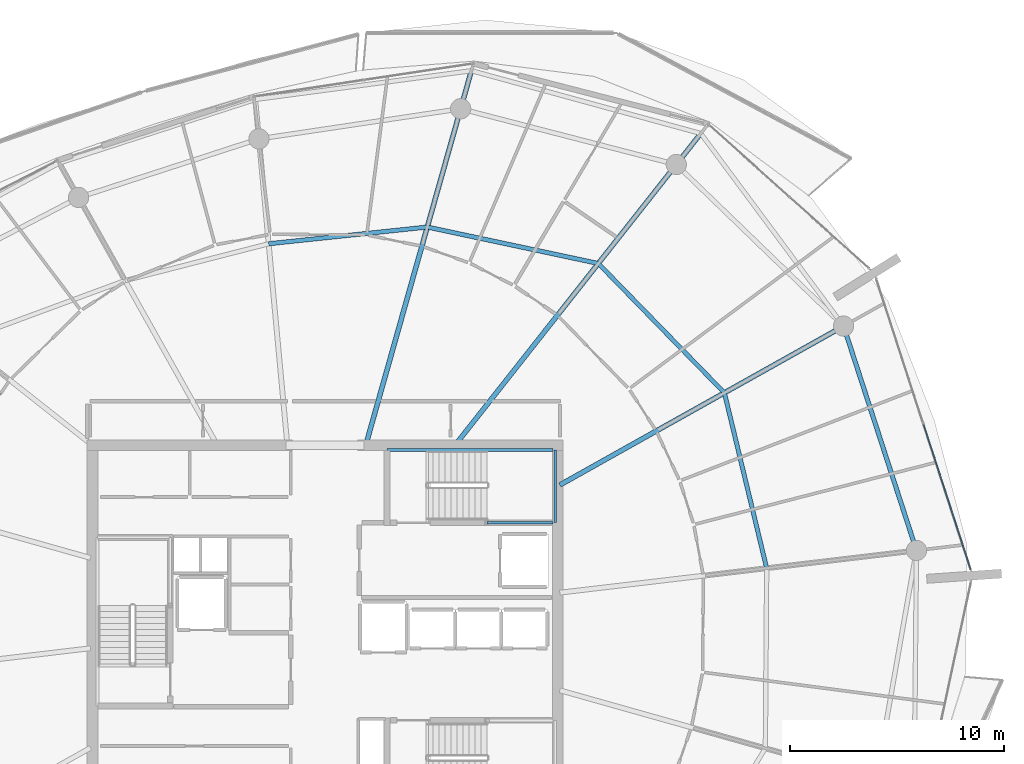
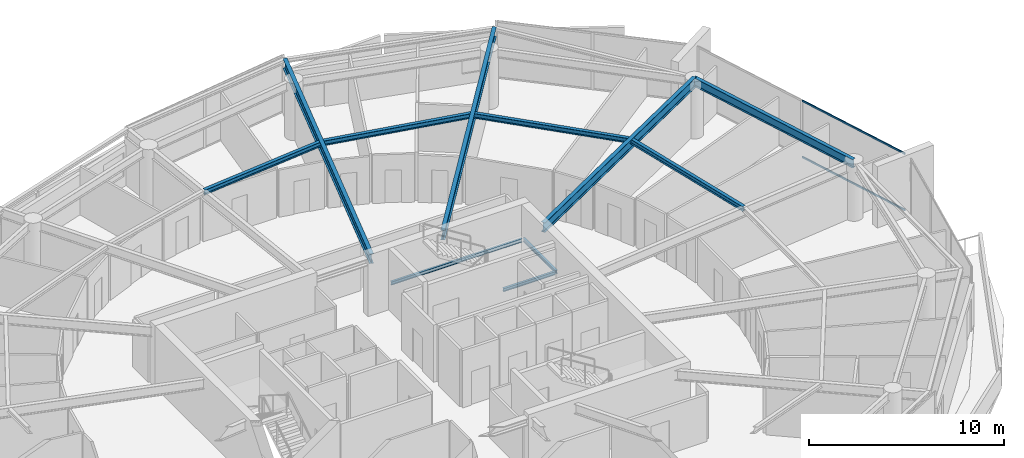
# One storey, part 14 of 30: 11 beams, 2 members, 1 element without a shape of its own.
"""IFC4 building model written with IfcOpenShell, lengths in metres."""

from ifc_helpers import new_model, si_unit, direction, frame, origin, origin_2d, place, context, subcontext, project, spatial, rectangle, i_section, extrude, material, layer, layer_set, material_profile, profile_set, type_object, element, aggregate, save


model = new_model("IFC4")

# Units and contexts
model_context = context("Model", 3, precision=1e-05, world=origin(), true_north=direction((0.0, 1.0)))
body_context = subcontext(model_context, "Body", "Model", "MODEL_VIEW")
ifc_project = project(units=[si_unit("LENGTHUNIT", "METRE"), si_unit("AREAUNIT", "SQUARE_METRE"), si_unit("VOLUMEUNIT", "CUBIC_METRE"), si_unit("PLANEANGLEUNIT", "RADIAN"), si_unit("MASSUNIT", "GRAM", prefix="KILO")], contexts=[model_context])

# Site, building, storey
site_placement = place(None, origin())
site = spatial("IfcSite", under=ifc_project, at=site_placement, CompositionType="ELEMENT")
building_placement = place(site_placement, origin())
building = spatial("IfcBuilding", under=site, at=building_placement, Name="Kazma Halo Residences", CompositionType="ELEMENT")
storey_placement = place(building_placement, frame((0.0, 0.0, 294.449951171875)))
storey = spatial("IfcBuildingStorey", under=building, at=storey_placement, Name="L74", CompositionType="ELEMENT", Elevation=294.449951171875)

# Beams
ifc_material_1 = material(Name="Steel S355", Category="steel")
ifc_material_profile_1 = material_profile(ifc_material_1, i_section(OverallWidth=0.22802734375, OverallDepth=0.60791015625, WebThickness=0.01123046875, FlangeThickness=0.017333984375, FilletRadius=0.01806640625, at=origin_2d()), Name="W610x113")
ifc_profile_set_1 = profile_set([ifc_material_profile_1], Name="Steel S355")
beam_type_1 = type_object("IfcBeamType", Name="BM-RAD-W610", PredefinedType="BEAM", material=ifc_profile_set_1)
beam_1_placement = place(storey_placement, frame((59.39990234375, 48.38427734375, 3.2861328125), z_axis=(0.872501636424, 0.488611189432, 0.0), x_axis=(-0.488611189432, 0.872501636424, 0.0)))
element("IfcBeam", 1, at=beam_1_placement, inside=storey, type_object=beam_type_1, Name="L74 radial floor beam 01", PredefinedType="BEAM", context=body_context, shape_type="SweptSolid", body=[
    extrude(i_section(OverallWidth=0.22802734375, OverallDepth=0.60791015625, WebThickness=0.01123046875, FlangeThickness=0.017333984375, FilletRadius=0.01806640625, at=origin_2d()), origin(), (0.0, 0.0, 1.0), 15.209716796875),
])
beam_2_placement = place(storey_placement, frame((54.58251953125, 50.35009765625, 3.2861328125), z_axis=(0.619094367176, 0.785316601461, 0.0), x_axis=(-0.785316601461, 0.619094367176, 0.0)))
element("IfcBeam", 2, at=beam_2_placement, inside=storey, type_object=beam_type_1, Name="L74 radial floor beam 02", PredefinedType="BEAM", context=body_context, shape_type="SweptSolid", body=[
    extrude(i_section(OverallWidth=0.22802734375, OverallDepth=0.60791015625, WebThickness=0.01123046875, FlangeThickness=0.017333984375, FilletRadius=0.01806640625, at=origin_2d()), origin(), (0.0, 0.0, 1.0), 18.429931640625),
])
beam_3_placement = place(storey_placement, frame((50.35498046875, 50.35009765625, 3.2861328125), z_axis=(0.271443175073, 0.962454467861, 0.0), x_axis=(-0.962454467861, 0.271443175073, 0.0)))
element("IfcBeam", 3, at=beam_3_placement, inside=storey, type_object=beam_type_1, Name="L74 radial floor beam 03", PredefinedType="BEAM", context=body_context, shape_type="SweptSolid", body=[
    extrude(i_section(OverallWidth=0.22802734375, OverallDepth=0.60791015625, WebThickness=0.01123046875, FlangeThickness=0.017333984375, FilletRadius=0.01806640625, at=origin_2d()), origin(), (0.0, 0.0, 1.0), 18.089111328125),
])
ifc_material_profile_2 = material_profile(ifc_material_1, i_section(OverallWidth=0.202880859375, OverallDepth=0.302978515625, WebThickness=0.007568359375, FlangeThickness=0.01318359375, FilletRadius=0.013916015625, at=origin_2d()), Name="W310x60")
ifc_profile_set_2 = profile_set([ifc_material_profile_2], Name="Steel S355")
beam_type_2 = type_object("IfcBeamType", Name="BM-SEC-W310A", PredefinedType="JOIST", material=ifc_profile_set_2)
beam_4_placement = place(storey_placement, frame((67.0966796875, 52.694580078125, 3.4384765625), z_axis=(-0.697959749995, 0.716136989261, 0.0), x_axis=(-0.716136989261, -0.697959749995, 0.0)))
element("IfcBeam", 4, at=beam_4_placement, inside=storey, type_object=beam_type_2, Name="L74 circumferential floor joist 01", PredefinedType="JOIST", context=body_context, shape_type="SweptSolid", body=[
    extrude(i_section(OverallWidth=0.202880859375, OverallDepth=0.302978515625, WebThickness=0.007568359375, FlangeThickness=0.01318359375, FilletRadius=0.013916015625, at=origin_2d()), origin(), (0.0, 0.0, 1.0), 8.4482421875),
])
beam_5_placement = place(storey_placement, frame((61.2001953125, 58.74462890625, 3.4384765625), z_axis=(-0.97806685939, 0.208291186956, 0.0), x_axis=(-0.208291186956, -0.97806685939, 0.0)))
element("IfcBeam", 5, at=beam_5_placement, inside=storey, type_object=beam_type_2, Name="L74 circumferential floor joist 02", PredefinedType="JOIST", context=body_context, shape_type="SweptSolid", body=[
    extrude(i_section(OverallWidth=0.202880859375, OverallDepth=0.302978515625, WebThickness=0.007568359375, FlangeThickness=0.01318359375, FilletRadius=0.013916015625, at=origin_2d()), origin(), (0.0, 0.0, 1.0), 8.1767578125),
])
beam_6_placement = place(storey_placement, frame((53.202880859375, 60.44775390625, 3.4384765625), z_axis=(-0.994500789339, -0.104729079076, 0.0), x_axis=(0.104729079076, -0.994500789339, 0.0)))
element("IfcBeam", 6, at=beam_6_placement, inside=storey, type_object=beam_type_2, Name="L74 circumferential floor joist 03", PredefinedType="JOIST", context=body_context, shape_type="SweptSolid", body=[
    extrude(i_section(OverallWidth=0.202880859375, OverallDepth=0.302978515625, WebThickness=0.007568359375, FlangeThickness=0.01318359375, FilletRadius=0.013916015625, at=origin_2d()), origin(), (0.0, 0.0, 1.0), 7.459716796875),
])
beam_7_placement = place(storey_placement, frame((69.07421875, 44.494384765625, 3.4384765625), z_axis=(-0.234436822548, 0.972131357499, 0.0), x_axis=(-0.972131357499, -0.234436822548, 0.0)))
element("IfcBeam", 7, at=beam_7_placement, inside=storey, type_object=beam_type_2, Name="L74 circumferential floor joist 16", PredefinedType="JOIST", context=body_context, shape_type="SweptSolid", body=[
    extrude(i_section(OverallWidth=0.202880859375, OverallDepth=0.302978515625, WebThickness=0.007568359375, FlangeThickness=0.01318359375, FilletRadius=0.013916015625, at=origin_2d()), origin(), (0.0, 0.0, 1.0), 8.435302734375),
])
ifc_material_profile_3 = material_profile(ifc_material_1, i_section(OverallWidth=0.208984375, OverallDepth=0.532958984375, WebThickness=0.01025390625, FlangeThickness=0.015625, FilletRadius=0.01611328125, at=origin_2d()), Name="W530x92")
ifc_profile_set_3 = profile_set([ifc_material_profile_3], Name="Steel S355")
beam_type_3 = type_object("IfcBeamType", Name="BM-SPN-W530", PredefinedType="BEAM", material=ifc_profile_set_3)
beam_8_placement = place(storey_placement, frame((76.07958984375, 45.323486328125, 3.323486328125), z_axis=(-0.309015517474, 0.951056996168, 0.0), x_axis=(-0.951056996168, -0.309015517474, 0.0)))
element("IfcBeam", 8, at=beam_8_placement, inside=storey, type_object=beam_type_3, Name="L74 perimeter ring beam 16", PredefinedType="BEAM", context=body_context, shape_type="SweptSolid", body=[
    extrude(i_section(OverallWidth=0.208984375, OverallDepth=0.532958984375, WebThickness=0.01025390625, FlangeThickness=0.015625, FilletRadius=0.01611328125, at=origin_2d()), origin(), (0.0, 0.0, 1.0), 11.032470703125),
])
ifc_material_profile_4 = material_profile(ifc_material_1, i_section(OverallWidth=0.133056640625, OverallDepth=0.20703125, WebThickness=0.005859375, FlangeThickness=0.00830078125, FilletRadius=0.010009765625, at=origin_2d()), Name="W200x26.6")
ifc_profile_set_4 = profile_set([ifc_material_profile_4], Name="Steel S355")
beam_type_4 = type_object("IfcBeamType", Name="BM-TRIM-W200", PredefinedType="BEAM", material=ifc_profile_set_4)
beam_9_placement = place(storey_placement, frame((51.31005859375, 50.02001953125, 1.6201171875), z_axis=(1.0, 0.0, 0.0), x_axis=(0.0, 1.0, 0.0)))
element("IfcBeam", 9, at=beam_9_placement, inside=storey, type_object=beam_type_4, Name="L74 ST-02 landing north wall ledger", PredefinedType="BEAM", context=body_context, shape_type="SweptSolid", body=[
    extrude(i_section(OverallWidth=0.133056640625, OverallDepth=0.20703125, WebThickness=0.005859375, FlangeThickness=0.00830078125, FilletRadius=0.010009765625, at=origin_2d()), origin(), (0.0, 0.0, 1.0), 7.760009765625),
])
beam_10_placement = place(storey_placement, frame((56.0, 46.6201171875, 1.6201171875), z_axis=(1.0, 0.0, 0.0), x_axis=(0.0, 1.0, 0.0)))
element("IfcBeam", 10, at=beam_10_placement, inside=storey, type_object=beam_type_4, Name="L74 ST-02 landing south wall ledger", PredefinedType="BEAM", context=body_context, shape_type="SweptSolid", body=[
    extrude(i_section(OverallWidth=0.133056640625, OverallDepth=0.20703125, WebThickness=0.005859375, FlangeThickness=0.00830078125, FilletRadius=0.010009765625, at=origin_2d()), origin(), (0.0, 0.0, 1.0), 3.070068359375),
])
beam_11_placement = place(storey_placement, frame((59.18994140625, 46.6201171875, 1.6201171875), z_axis=(0.0, 1.0, 0.0), x_axis=(-1.0, 0.0, 0.0)))
element("IfcBeam", 11, at=beam_11_placement, inside=storey, type_object=beam_type_4, Name="L74 ST-02 landing end wall ledger", PredefinedType="BEAM", context=body_context, shape_type="SweptSolid", body=[
    extrude(i_section(OverallWidth=0.133056640625, OverallDepth=0.20703125, WebThickness=0.005859375, FlangeThickness=0.00830078125, FilletRadius=0.010009765625, at=origin_2d()), origin(), (0.0, 0.0, 1.0), 3.39990234375),
])

# Curtain wall, members
ifc_material_2 = material(Name="Aluminium AW-6063 T6 and Triple-Silver Low-E Glass", Category="aluminium")
ifc_layer = layer(ifc_material_2, 0.139892578125)
ifc_layer_set = layer_set([ifc_layer], Name="Aluminium AW-6063 T6 and Triple-Silver Low-E Glass")
curtain_wall_type = type_object("IfcCurtainWallType", Name="CW-SYS-5", PredefinedType="NOTDEFINED", material=ifc_layer_set)
curtain_wall_placement = place(storey_placement, origin())
curtain_wall = element("IfcCurtainWall", 12, at=curtain_wall_placement, inside=storey, type_object=curtain_wall_type, Name="L74 unitised curtain wall B16", PredefinedType="NOTDEFINED")
ifc_material_3 = material(Name="Aluminium AW-6063 T6", Category="aluminium")
ifc_material_profile_5 = material_profile(ifc_material_3, rectangle(XDim=0.06005859375, YDim=0.10498046875, at=origin_2d()), Name="CWT-60x105")
ifc_profile_set_5 = profile_set([ifc_material_profile_5], Name="Aluminium AW-6063 T6")
member_type = type_object("IfcMemberType", Name="CW-SYS-5-TRN", PredefinedType="USERDEFINED", material=ifc_profile_set_5)
member_1_placement = place(storey_placement, frame((78.613525390625, 44.44091796875, 0.030029296875), z_axis=(-0.308995987448, 0.951063341603, 0.0), x_axis=(-0.951063341603, -0.308995987448, 0.0)))
member_1 = element("IfcMember", 13, at=member_1_placement, type_object=member_type, Name="CWS-5 transom 1.1", ObjectType="TRANSOM", PredefinedType="USERDEFINED", context=body_context, shape_type="SweptSolid", body=[
    extrude(rectangle(XDim=0.06005859375, YDim=0.10498046875, at=origin_2d()), origin(), (0.0, 0.0, 1.0), 7.108642578125),
])
member_2_placement = place(storey_placement, frame((78.613525390625, 44.44091796875, 3.56005859375), z_axis=(-0.308995987448, 0.951063341603, 0.0), x_axis=(-0.951063341603, -0.308995987448, 0.0)))
member_2 = element("IfcMember", 14, at=member_2_placement, type_object=member_type, Name="CWS-5 transom 1.2", ObjectType="TRANSOM", PredefinedType="USERDEFINED", context=body_context, shape_type="SweptSolid", body=[
    extrude(rectangle(XDim=0.06005859375, YDim=0.10498046875, at=origin_2d()), origin(), (0.0, 0.0, 1.0), 7.108642578125),
])
aggregate(curtain_wall, [member_1, member_2])

save(model, "model.ifc")
